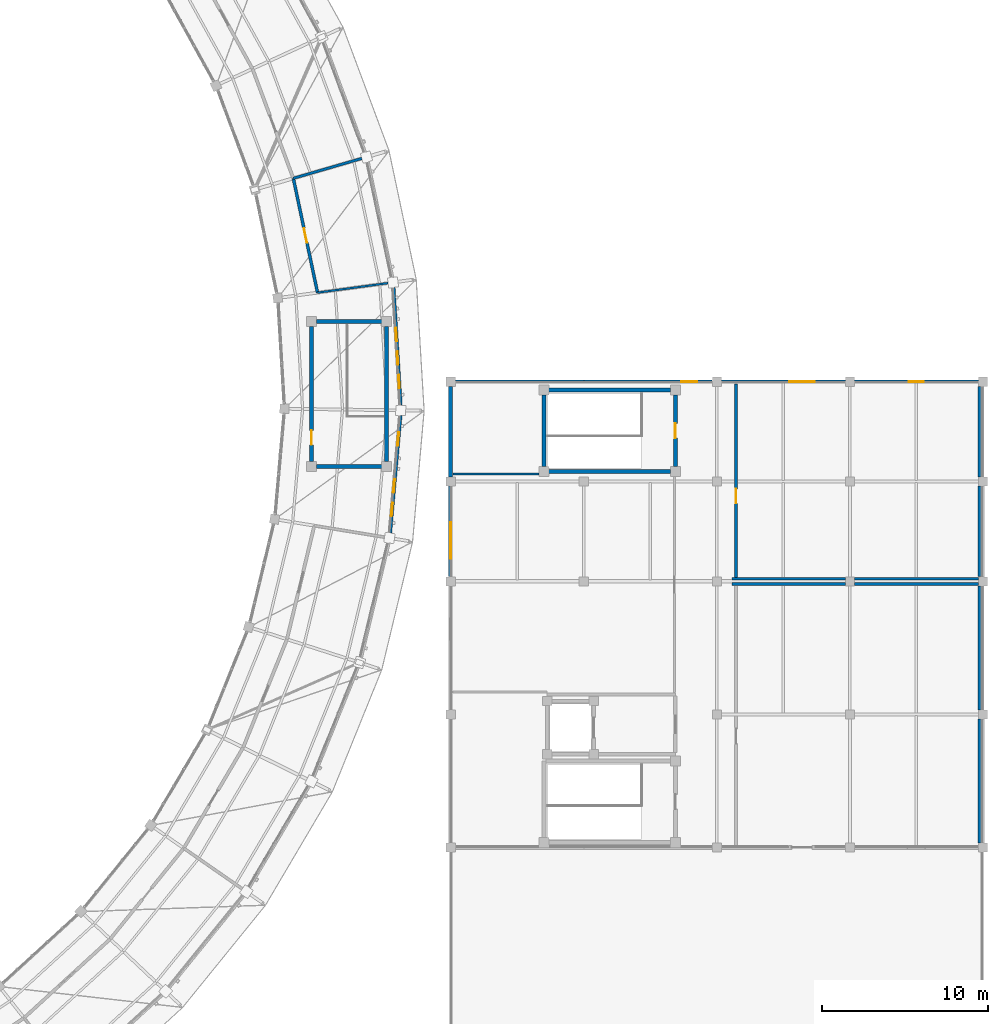
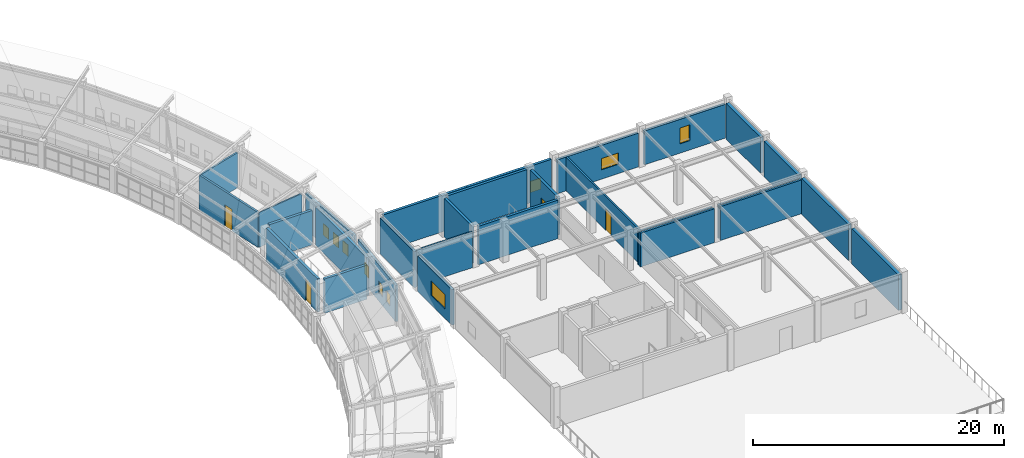
# One storey, part 133 of 149: 29 walls, 10 windows, 4 doors, 14 openings.
"""IFC4 building model written with IfcOpenShell, lengths in metres."""

from ifc_helpers import new_model, si_unit, direction, frame, frame_2d, origin, place, context, subcontext, project, spatial, rectangle, extrude, material, layer, layer_set, type_object, element, fill, save


model = new_model("IFC4")

# Units and contexts
model_context = context("Model", 3, precision=1e-05, world=origin(), true_north=direction((0.0, 1.0)))
body_context = subcontext(model_context, "Body", "Model", "MODEL_VIEW")
ifc_project = project(units=[si_unit("LENGTHUNIT", "METRE"), si_unit("AREAUNIT", "SQUARE_METRE"), si_unit("VOLUMEUNIT", "CUBIC_METRE"), si_unit("PLANEANGLEUNIT", "RADIAN"), si_unit("MASSUNIT", "GRAM", prefix="KILO")], contexts=[model_context])

# Site, building, storey
site_placement = place(None, origin())
site = spatial("IfcSite", under=ifc_project, at=site_placement, CompositionType="ELEMENT")
building_placement = place(site_placement, origin())
building = spatial("IfcBuilding", under=site, at=building_placement, Name="Celadon Cloister-Ring School", CompositionType="ELEMENT")
storey_placement = place(building_placement, frame((0.0, 0.0, 12.5)))
storey = spatial("IfcBuildingStorey", under=building, at=storey_placement, Name="L03", CompositionType="ELEMENT", Elevation=12.5)

# Wall, opening, window
ifc_material_1 = material(Name="Rendered concrete blockwork", Category="masonry")
ifc_layer_1 = layer(ifc_material_1, 0.239990234375)
ifc_layer_set_1 = layer_set([ifc_layer_1], Name="Rendered concrete blockwork")
wall_type_1 = type_object("IfcWallType", Name="WT-EX3", PredefinedType="SOLIDWALL", material=ifc_layer_set_1)
wall_1_placement = place(storey_placement, frame((142.0, 48.277099609375, 0.0), z_axis=(0.0, 0.0, 1.0), x_axis=(0.0, 1.0, 0.0)))
wall_1 = element("IfcWall", 1, at=wall_1_placement, inside=storey, type_object=wall_type_1, Name="Exterior Wall 0473", PredefinedType="SOLIDWALL", context=body_context, shape_type="SweptSolid", body=[
    extrude(rectangle(XDim=5.44580078125, YDim=0.239990234375, at=frame_2d((2.722900390625, 0.0))), origin(), (0.0, 0.0, 1.0), 3.44189453125),
])
opening_1_placement = place(wall_1_placement, frame((1.077880859375, 0.0, 0.89990234375)))
opening_1 = element("IfcOpeningElement", 2, at=opening_1_placement, cuts=wall_1, Name="Opening WN-29", PredefinedType="OPENING", context=body_context, shape_type="SweptSolid", body=[
    extrude(rectangle(XDim=2.199951171875, YDim=1.39990234375, at=frame_2d((1.10009765625, 0.699951171875))), frame((0.0, 0.1298828125, 0.0), z_axis=(0.0, -1.0, 0.0), x_axis=(1.0, 0.0, 0.0)), (0.0, 0.0, 1.0), 0.260009765625),
])
ifc_material_2 = material(Name="Tempered laminated insulating glass", Category="glass")
window_type_1 = type_object("IfcWindowType", Name="WN-29", PartitioningType="DOUBLE_PANEL_VERTICAL", PredefinedType="WINDOW", material=ifc_material_2)
window_1_placement = place(opening_1_placement, origin())
window_1 = element("IfcWindow", 3, at=window_1_placement, inside=storey, type_object=window_type_1, Name="Window 0990", OverallHeight=1.39990234375, OverallWidth=2.199951171875, PartitioningType="SINGLE_PANEL", PredefinedType="WINDOW", context=body_context, shape_type="SweptSolid", body=[
    extrude(rectangle(XDim=2.199951171875, YDim=1.39990234375, at=frame_2d((1.10009765625, 0.699951171875))), frame((0.0, 0.030029296875, 0.0), z_axis=(0.0, -1.0, 0.0), x_axis=(1.0, 0.0, 0.0)), (0.0, 0.0, 1.0), 0.06005859375),
])
fill(opening_1, window_1)

# Walls
wall_2_placement = place(storey_placement, frame((142.0, 54.277099609375, 0.0), z_axis=(0.0, 0.0, 1.0), x_axis=(0.0, 1.0, 0.0)))
element("IfcWall", 4, at=wall_2_placement, inside=storey, type_object=wall_type_1, Name="Exterior Wall 0474", PredefinedType="SOLIDWALL", context=body_context, shape_type="SweptSolid", body=[
    extrude(rectangle(XDim=5.44580078125, YDim=0.239990234375, at=frame_2d((2.722900390625, 0.0))), origin(), (0.0, 0.0, 1.0), 3.493896484375),
])
wall_3_placement = place(storey_placement, frame((142.277099609375, 60.0, 0.0), z_axis=(0.0, 0.0, 1.0), x_axis=(1.0, 0.0, 0.0)))
element("IfcWall", 5, at=wall_3_placement, inside=storey, type_object=wall_type_1, Name="Exterior Wall 0475", PredefinedType="SOLIDWALL", context=body_context, shape_type="SweptSolid", body=[
    extrude(rectangle(XDim=7.722900390625, YDim=0.239990234375, at=frame_2d((3.861328125, 0.0))), origin(), (0.0, 0.0, 1.0), 3.550048828125),
])

# Wall, opening, window
wall_4_placement = place(storey_placement, frame((150.0, 60.0, 0.0), z_axis=(0.0, 0.0, 1.0), x_axis=(1.0, 0.0, 0.0)))
wall_4 = element("IfcWall", 6, at=wall_4_placement, inside=storey, type_object=wall_type_1, Name="Exterior Wall 0476", PredefinedType="SOLIDWALL", context=body_context, shape_type="SweptSolid", body=[
    extrude(rectangle(XDim=7.722900390625, YDim=0.239990234375, at=frame_2d((3.861328125, 0.0))), origin(), (0.0, 0.0, 1.0), 3.550048828125),
])
opening_2_placement = place(wall_4_placement, frame((5.85791015625, 0.0, 0.89990234375)))
opening_2 = element("IfcOpeningElement", 7, at=opening_2_placement, cuts=wall_4, Name="Opening WN-02", PredefinedType="OPENING", context=body_context, shape_type="SweptSolid", body=[
    extrude(rectangle(XDim=0.949951171875, YDim=1.10009765625, at=frame_2d((0.47509765625, 0.550048828125))), frame((0.0, 0.1298828125, 0.0), z_axis=(0.0, -1.0, 0.0), x_axis=(1.0, 0.0, 0.0)), (0.0, 0.0, 1.0), 0.260009765625),
])
ifc_material_3 = material(Name="Tempered laminated insulating glass", Category="glass")
window_type_2 = type_object("IfcWindowType", Name="WN-02", PartitioningType="SINGLE_PANEL", PredefinedType="WINDOW", material=ifc_material_3)
window_2_placement = place(opening_2_placement, origin())
window_2 = element("IfcWindow", 8, at=window_2_placement, inside=storey, type_object=window_type_2, Name="Window 0991", OverallHeight=1.10009765625, OverallWidth=0.949951171875, PartitioningType="SINGLE_PANEL", PredefinedType="WINDOW", context=body_context, shape_type="SweptSolid", body=[
    extrude(rectangle(XDim=0.949951171875, YDim=1.10009765625, at=frame_2d((0.47509765625, 0.550048828125))), frame((0.0, 0.030029296875, 0.0), z_axis=(0.0, -1.0, 0.0), x_axis=(1.0, 0.0, 0.0)), (0.0, 0.0, 1.0), 0.06005859375),
])
fill(opening_2, window_2)

wall_5_placement = place(storey_placement, frame((158.277099609375, 60.0, 0.0), z_axis=(0.0, 0.0, 1.0), x_axis=(1.0, 0.0, 0.0)))
wall_5 = element("IfcWall", 9, at=wall_5_placement, inside=storey, type_object=wall_type_1, Name="Exterior Wall 0477", PredefinedType="SOLIDWALL", context=body_context, shape_type="SweptSolid", body=[
    extrude(rectangle(XDim=7.44580078125, YDim=0.239990234375, at=frame_2d((3.722900390625, 0.0))), origin(), (0.0, 0.0, 1.0), 3.2890625),
])
opening_3_placement = place(wall_5_placement, frame((4.06494140625, 0.0, 0.89990234375)))
opening_3 = element("IfcOpeningElement", 10, at=opening_3_placement, cuts=wall_5, Name="Opening WN-06", PredefinedType="OPENING", context=body_context, shape_type="SweptSolid", body=[
    extrude(rectangle(XDim=1.550048828125, YDim=1.10009765625, at=frame_2d((0.77490234375, 0.550048828125))), frame((0.0, 0.1298828125, 0.0), z_axis=(0.0, -1.0, 0.0), x_axis=(1.0, 0.0, 0.0)), (0.0, 0.0, 1.0), 0.260009765625),
])
ifc_material_4 = material(Name="Tempered laminated insulating glass", Category="glass")
window_type_3 = type_object("IfcWindowType", Name="WN-06", PartitioningType="DOUBLE_PANEL_VERTICAL", PredefinedType="WINDOW", material=ifc_material_4)
window_3_placement = place(opening_3_placement, origin())
window_3 = element("IfcWindow", 11, at=window_3_placement, inside=storey, type_object=window_type_3, Name="Window 0992", OverallHeight=1.10009765625, OverallWidth=1.550048828125, PartitioningType="SINGLE_PANEL", PredefinedType="WINDOW", context=body_context, shape_type="SweptSolid", body=[
    extrude(rectangle(XDim=1.550048828125, YDim=1.10009765625, at=frame_2d((0.77490234375, 0.550048828125))), frame((0.0, 0.030029296875, 0.0), z_axis=(0.0, -1.0, 0.0), x_axis=(1.0, 0.0, 0.0)), (0.0, 0.0, 1.0), 0.06005859375),
])
fill(opening_3, window_3)

wall_6_placement = place(storey_placement, frame((166.277099609375, 60.0, 0.0), z_axis=(0.0, 0.0, 1.0), x_axis=(1.0, 0.0, 0.0)))
wall_6 = element("IfcWall", 12, at=wall_6_placement, inside=storey, type_object=wall_type_1, Name="Exterior Wall 0478", PredefinedType="SOLIDWALL", context=body_context, shape_type="SweptSolid", body=[
    extrude(rectangle(XDim=7.44580078125, YDim=0.239990234375, at=frame_2d((3.722900390625, 0.0))), origin(), (0.0, 0.0, 1.0), 3.2890625),
])
opening_4_placement = place(wall_6_placement, frame((3.27294921875, 0.0, 0.89990234375)))
opening_4 = element("IfcOpeningElement", 13, at=opening_4_placement, cuts=wall_6, Name="Opening WN-31", PredefinedType="OPENING", context=body_context, shape_type="SweptSolid", body=[
    extrude(rectangle(XDim=0.89990234375, YDim=1.550048828125, at=frame_2d((0.449951171875, 0.77490234375))), frame((0.0, 0.1298828125, 0.0), z_axis=(0.0, -1.0, 0.0), x_axis=(1.0, 0.0, 0.0)), (0.0, 0.0, 1.0), 0.260009765625),
])
ifc_material_5 = material(Name="Tempered laminated insulating glass", Category="glass")
window_type_4 = type_object("IfcWindowType", Name="WN-31", PartitioningType="SINGLE_PANEL", PredefinedType="WINDOW", material=ifc_material_5)
window_4_placement = place(opening_4_placement, origin())
window_4 = element("IfcWindow", 14, at=window_4_placement, inside=storey, type_object=window_type_4, Name="Window 0993", OverallHeight=1.550048828125, OverallWidth=0.89990234375, PartitioningType="SINGLE_PANEL", PredefinedType="WINDOW", context=body_context, shape_type="SweptSolid", body=[
    extrude(rectangle(XDim=0.89990234375, YDim=1.550048828125, at=frame_2d((0.449951171875, 0.77490234375))), frame((0.0, 0.030029296875, 0.0), z_axis=(0.0, -1.0, 0.0), x_axis=(1.0, 0.0, 0.0)), (0.0, 0.0, 1.0), 0.06005859375),
])
fill(opening_4, window_4)

# Wall, openings, windows
ifc_material_6 = material(Name="Perforated terracotta clay brick masonry", Category="masonry")
ifc_layer_2 = layer(ifc_material_6, 0.219970703125)
ifc_layer_set_2 = layer_set([ifc_layer_2], Name="Perforated terracotta clay brick masonry")
wall_type_2 = type_object("IfcWallType", Name="WT-EX4", PredefinedType="SOLIDWALL", material=ifc_layer_set_2)
wall_7_placement = place(storey_placement, frame((138.968017578125, 57.970947265625, 0.0), z_axis=(0.0, 0.0, 1.0), x_axis=(-0.08798335938, -0.996121944579, 0.0)))
wall_7 = element("IfcWall", 15, at=wall_7_placement, inside=storey, type_object=wall_type_2, Name="Exterior Wall 0201", PredefinedType="SOLIDWALL", context=body_context, shape_type="SweptSolid", body=[
    extrude(rectangle(XDim=7.081298828125, YDim=0.219970703125, at=frame_2d((3.54052734375, 0.0))), origin(), (0.0, 0.0, 1.0), 3.537109375),
])
opening_5_placement = place(wall_7_placement, frame((1.01611328125, 0.0, 0.85009765625)))
opening_5 = element("IfcOpeningElement", 16, at=opening_5_placement, cuts=wall_7, Name="Opening WN-01", PredefinedType="OPENING", context=body_context, shape_type="SweptSolid", body=[
    extrude(rectangle(XDim=0.800048828125, YDim=1.10009765625, at=frame_2d((0.39990234375, 0.550048828125))), frame((0.0, 0.1201171875, 0.0), z_axis=(0.0, -1.0, 0.0), x_axis=(1.0, 0.0, 0.0)), (0.0, 0.0, 1.0), 0.239990234375),
])
opening_6_placement = place(wall_7_placement, frame((3.84912109375, 0.0, 0.85009765625)))
opening_6 = element("IfcOpeningElement", 17, at=opening_6_placement, cuts=wall_7, Name="Opening WN-01", PredefinedType="OPENING", context=body_context, shape_type="SweptSolid", body=[
    extrude(rectangle(XDim=0.800048828125, YDim=1.10009765625, at=frame_2d((0.39990234375, 0.550048828125))), frame((0.0, 0.1201171875, 0.0), z_axis=(0.0, -1.0, 0.0), x_axis=(1.0, 0.0, 0.0)), (0.0, 0.0, 1.0), 0.239990234375),
])
opening_7_placement = place(wall_7_placement, frame((5.264892578125, 0.0, 0.85009765625)))
opening_7 = element("IfcOpeningElement", 18, at=opening_7_placement, cuts=wall_7, Name="Opening WN-01", PredefinedType="OPENING", context=body_context, shape_type="SweptSolid", body=[
    extrude(rectangle(XDim=0.800048828125, YDim=1.10009765625, at=frame_2d((0.39990234375, 0.550048828125))), frame((0.0, 0.1201171875, 0.0), z_axis=(0.0, -1.0, 0.0), x_axis=(1.0, 0.0, 0.0)), (0.0, 0.0, 1.0), 0.239990234375),
])
ifc_material_7 = material(Name="Tempered laminated insulating glass", Category="glass")
window_type_5 = type_object("IfcWindowType", Name="WN-01", PartitioningType="SINGLE_PANEL", PredefinedType="WINDOW", material=ifc_material_7)
window_5_placement = place(opening_5_placement, origin())
window_5 = element("IfcWindow", 19, at=window_5_placement, inside=storey, type_object=window_type_5, Name="Window 0546", OverallHeight=1.10009765625, OverallWidth=0.800048828125, PartitioningType="SINGLE_PANEL", PredefinedType="WINDOW", context=body_context, shape_type="SweptSolid", body=[
    extrude(rectangle(XDim=0.800048828125, YDim=1.10009765625, at=frame_2d((0.39990234375, 0.550048828125))), frame((0.0, 0.030029296875, 0.0), z_axis=(0.0, -1.0, 0.0), x_axis=(1.0, 0.0, 0.0)), (0.0, 0.0, 1.0), 0.06005859375),
])
fill(opening_5, window_5)
window_6_placement = place(opening_6_placement, origin())
window_6 = element("IfcWindow", 20, at=window_6_placement, inside=storey, type_object=window_type_5, Name="Window 0547", OverallHeight=1.10009765625, OverallWidth=0.800048828125, PartitioningType="SINGLE_PANEL", PredefinedType="WINDOW", context=body_context, shape_type="SweptSolid", body=[
    extrude(rectangle(XDim=0.800048828125, YDim=1.10009765625, at=frame_2d((0.39990234375, 0.550048828125))), frame((0.0, 0.030029296875, 0.0), z_axis=(0.0, -1.0, 0.0), x_axis=(1.0, 0.0, 0.0)), (0.0, 0.0, 1.0), 0.06005859375),
])
fill(opening_6, window_6)
window_7_placement = place(opening_7_placement, origin())
window_7 = element("IfcWindow", 21, at=window_7_placement, inside=storey, type_object=window_type_5, Name="Window 0548", OverallHeight=1.10009765625, OverallWidth=0.800048828125, PartitioningType="SINGLE_PANEL", PredefinedType="WINDOW", context=body_context, shape_type="SweptSolid", body=[
    extrude(rectangle(XDim=0.800048828125, YDim=1.10009765625, at=frame_2d((0.39990234375, 0.550048828125))), frame((0.0, 0.030029296875, 0.0), z_axis=(0.0, -1.0, 0.0), x_axis=(1.0, 0.0, 0.0)), (0.0, 0.0, 1.0), 0.06005859375),
])
fill(opening_7, window_7)

wall_8_placement = place(storey_placement, frame((138.550048828125, 65.660888671875, 0.0), z_axis=(0.0, 0.0, 1.0), x_axis=(0.060150575124, -0.998189314866, 0.0)))
wall_8 = element("IfcWall", 22, at=wall_8_placement, inside=storey, type_object=wall_type_2, Name="Exterior Wall 0202", PredefinedType="SOLIDWALL", context=body_context, shape_type="SweptSolid", body=[
    extrude(rectangle(XDim=7.082763671875, YDim=0.219970703125, at=frame_2d((3.54150390625, 0.0))), origin(), (0.0, 0.0, 1.0), 3.537109375),
])
opening_8_placement = place(wall_8_placement, frame((2.43310546875, 0.0, 0.85009765625)))
opening_8 = element("IfcOpeningElement", 23, at=opening_8_placement, cuts=wall_8, Name="Opening WN-01", PredefinedType="OPENING", context=body_context, shape_type="SweptSolid", body=[
    extrude(rectangle(XDim=0.800048828125, YDim=1.10009765625, at=frame_2d((0.39990234375, 0.550048828125))), frame((0.0, 0.1201171875, 0.0), z_axis=(0.0, -1.0, 0.0), x_axis=(1.0, 0.0, 0.0)), (0.0, 0.0, 1.0), 0.239990234375),
])
opening_9_placement = place(wall_8_placement, frame((3.85009765625, 0.0, 0.85009765625)))
opening_9 = element("IfcOpeningElement", 24, at=opening_9_placement, cuts=wall_8, Name="Opening WN-01", PredefinedType="OPENING", context=body_context, shape_type="SweptSolid", body=[
    extrude(rectangle(XDim=0.800048828125, YDim=1.10009765625, at=frame_2d((0.39990234375, 0.550048828125))), frame((0.0, 0.1201171875, 0.0), z_axis=(0.0, -1.0, 0.0), x_axis=(1.0, 0.0, 0.0)), (0.0, 0.0, 1.0), 0.239990234375),
])
opening_10_placement = place(wall_8_placement, frame((5.26611328125, 0.0, 0.85009765625)))
opening_10 = element("IfcOpeningElement", 25, at=opening_10_placement, cuts=wall_8, Name="Opening WN-01", PredefinedType="OPENING", context=body_context, shape_type="SweptSolid", body=[
    extrude(rectangle(XDim=0.800048828125, YDim=1.10009765625, at=frame_2d((0.39990234375, 0.550048828125))), frame((0.0, 0.1201171875, 0.0), z_axis=(0.0, -1.0, 0.0), x_axis=(1.0, 0.0, 0.0)), (0.0, 0.0, 1.0), 0.239990234375),
])
window_8_placement = place(opening_8_placement, origin())
window_8 = element("IfcWindow", 26, at=window_8_placement, inside=storey, type_object=window_type_5, Name="Window 0549", OverallHeight=1.10009765625, OverallWidth=0.800048828125, PartitioningType="SINGLE_PANEL", PredefinedType="WINDOW", context=body_context, shape_type="SweptSolid", body=[
    extrude(rectangle(XDim=0.800048828125, YDim=1.10009765625, at=frame_2d((0.39990234375, 0.550048828125))), frame((0.0, 0.030029296875, 0.0), z_axis=(0.0, -1.0, 0.0), x_axis=(1.0, 0.0, 0.0)), (0.0, 0.0, 1.0), 0.06005859375),
])
fill(opening_8, window_8)
window_9_placement = place(opening_9_placement, origin())
window_9 = element("IfcWindow", 27, at=window_9_placement, inside=storey, type_object=window_type_5, Name="Window 0550", OverallHeight=1.10009765625, OverallWidth=0.800048828125, PartitioningType="SINGLE_PANEL", PredefinedType="WINDOW", context=body_context, shape_type="SweptSolid", body=[
    extrude(rectangle(XDim=0.800048828125, YDim=1.10009765625, at=frame_2d((0.39990234375, 0.550048828125))), frame((0.0, 0.030029296875, 0.0), z_axis=(0.0, -1.0, 0.0), x_axis=(1.0, 0.0, 0.0)), (0.0, 0.0, 1.0), 0.06005859375),
])
fill(opening_9, window_9)
window_10_placement = place(opening_10_placement, origin())
window_10 = element("IfcWindow", 28, at=window_10_placement, inside=storey, type_object=window_type_5, Name="Window 0551", OverallHeight=1.10009765625, OverallWidth=0.800048828125, PartitioningType="SINGLE_PANEL", PredefinedType="WINDOW", context=body_context, shape_type="SweptSolid", body=[
    extrude(rectangle(XDim=0.800048828125, YDim=1.10009765625, at=frame_2d((0.39990234375, 0.550048828125))), frame((0.0, 0.030029296875, 0.0), z_axis=(0.0, -1.0, 0.0), x_axis=(1.0, 0.0, 0.0)), (0.0, 0.0, 1.0), 0.06005859375),
])
fill(opening_10, window_10)

# Walls
ifc_material_8 = material(Name="Concrete C40/50", Category="concrete")
ifc_layer_3 = layer(ifc_material_8, 0.300048828125)
ifc_layer_set_3 = layer_set([ifc_layer_3], Name="Concrete C40/50")
wall_type_3 = type_object("IfcWallType", Name="WT-FW1", PredefinedType="SHEAR", material=ifc_layer_set_3)
wall_9_placement = place(storey_placement, frame((173.85009765625, 59.722900390625, 0.0), z_axis=(0.0, 0.0, 1.0), x_axis=(0.0, -1.0, 0.0)))
element("IfcWall", 29, at=wall_9_placement, inside=storey, type_object=wall_type_3, Name="Exterior Wall 0479", PredefinedType="SHEAR", context=body_context, shape_type="SweptSolid", body=[
    extrude(rectangle(XDim=5.44580078125, YDim=0.300048828125, at=frame_2d((2.722900390625, 0.0))), origin(), (0.0, 0.0, 1.0), 3.493896484375),
])
wall_10_placement = place(storey_placement, frame((173.85009765625, 53.722900390625, 0.0), z_axis=(0.0, 0.0, 1.0), x_axis=(0.0, -1.0, 0.0)))
element("IfcWall", 30, at=wall_10_placement, inside=storey, type_object=wall_type_3, Name="Exterior Wall 0480", PredefinedType="SHEAR", context=body_context, shape_type="SweptSolid", body=[
    extrude(rectangle(XDim=5.44580078125, YDim=0.300048828125, at=frame_2d((2.722900390625, 0.0))), origin(), (0.0, 0.0, 1.0), 3.44189453125),
])
wall_11_placement = place(storey_placement, frame((173.85009765625, 47.722900390625, 0.0), z_axis=(0.0, 0.0, 1.0), x_axis=(0.0, -1.0, 0.0)))
element("IfcWall", 31, at=wall_11_placement, inside=storey, type_object=wall_type_3, Name="Exterior Wall 0481", PredefinedType="SHEAR", context=body_context, shape_type="SweptSolid", body=[
    extrude(rectangle(XDim=7.44580078125, YDim=0.300048828125, at=frame_2d((3.722900390625, 0.0))), origin(), (0.0, 0.0, 1.0), 3.493896484375),
])
wall_12_placement = place(storey_placement, frame((173.85009765625, 39.722900390625, 0.0), z_axis=(0.0, 0.0, 1.0), x_axis=(0.0, -1.0, 0.0)))
element("IfcWall", 32, at=wall_12_placement, inside=storey, type_object=wall_type_3, Name="Exterior Wall 0482", PredefinedType="SHEAR", context=body_context, shape_type="SweptSolid", body=[
    extrude(rectangle(XDim=7.44580078125, YDim=0.300048828125, at=frame_2d((3.722900390625, 0.0))), origin(), (0.0, 0.0, 1.0), 3.44189453125),
])

# Wall, opening, door
ifc_material_9 = material(Name="Plastered hollow concrete masonry", Category="masonry")
ifc_layer_4 = layer(ifc_material_9, 0.179931640625)
ifc_layer_set_4 = layer_set([ifc_layer_4], Name="Plastered hollow concrete masonry")
wall_type_4 = type_object("IfcWallType", Name="WT-PT2", PredefinedType="PARTITIONING", material=ifc_layer_set_4)
wall_13_placement = place(storey_placement, frame((133.991943359375, 65.35693359375, 0.0), z_axis=(0.0, 0.0, 1.0), x_axis=(-0.207083965241, 0.978323173261, 0.0)))
wall_13 = element("IfcWall", 33, at=wall_13_placement, inside=storey, type_object=wall_type_4, Name="Interior Wall 0632", PredefinedType="PARTITIONING", context=body_context, shape_type="SweptSolid", body=[
    extrude(rectangle(XDim=7.025390625, YDim=0.179931640625, at=frame_2d((3.5126953125, 0.0))), origin(), (0.0, 0.0, 1.0), 3.39697265625),
])
opening_11_placement = place(wall_13_placement, frame((3.072998046875, 0.0, 0.0)))
opening_11 = element("IfcOpeningElement", 34, at=opening_11_placement, cuts=wall_13, Name="Opening D-0229", PredefinedType="OPENING", context=body_context, shape_type="SweptSolid", body=[
    extrude(rectangle(XDim=0.8798828125, YDim=2.10009765625, at=frame_2d((0.43994140625, 1.050048828125))), frame((0.0, 0.10009765625, 0.0), z_axis=(0.0, -1.0, 0.0), x_axis=(1.0, 0.0, 0.0)), (0.0, 0.0, 1.0), 0.199951171875),
])
ifc_material_10 = material(Name="Solid-core fire-rated hardwood leaf", Category="wood")
door_type = type_object("IfcDoorType", Name="DT-01", OperationType="NOTDEFINED", PredefinedType="DOOR", material=ifc_material_10)
door_1_placement = place(opening_11_placement, origin())
door_1 = element("IfcDoor", 35, at=door_1_placement, inside=storey, type_object=door_type, Name="Door D-0229", OperationType="SINGLE_SWING_LEFT", OverallHeight=2.10009765625, OverallWidth=0.8798828125, PredefinedType="DOOR", context=body_context, shape_type="SweptSolid", body=[
    extrude(rectangle(XDim=0.8798828125, YDim=2.10009765625, at=frame_2d((0.43994140625, 1.050048828125))), frame((0.0, 0.02490234375, 0.0), z_axis=(0.0, -1.0, 0.0), x_axis=(1.0, 0.0, 0.0)), (0.0, 0.0, 1.0), 0.050048828125),
])
fill(opening_11, door_1)

# Walls
wall_14_placement = place(storey_placement, frame((158.909912109375, 47.85009765625, 0.0), z_axis=(0.0, 0.0, 1.0), x_axis=(1.0, 0.0, 0.0)))
element("IfcWall", 36, at=wall_14_placement, inside=storey, type_object=wall_type_4, Name="Interior Wall 1067", PredefinedType="PARTITIONING", context=body_context, shape_type="SweptSolid", body=[
    extrude(rectangle(XDim=6.822998046875, YDim=0.179931640625, at=frame_2d((3.41162109375, 0.0))), origin(), (0.0, 0.0, 1.0), 3.2890625),
])
wall_15_placement = place(storey_placement, frame((166.26708984375, 47.85009765625, 0.0), z_axis=(0.0, 0.0, 1.0), x_axis=(1.0, 0.0, 0.0)))
element("IfcWall", 37, at=wall_15_placement, inside=storey, type_object=wall_type_4, Name="Interior Wall 1068", PredefinedType="PARTITIONING", context=body_context, shape_type="SweptSolid", body=[
    extrude(rectangle(XDim=7.4658203125, YDim=0.179931640625, at=frame_2d((3.73291015625, 0.0))), origin(), (0.0, 0.0, 1.0), 3.2890625),
])
ifc_material_11 = material(Name="Plastered hollow concrete masonry", Category="masonry")
ifc_layer_5 = layer(ifc_material_11, 0.159912109375)
ifc_layer_set_5 = layer_set([ifc_layer_5], Name="Plastered hollow concrete masonry")
wall_type_5 = type_object("IfcWallType", Name="WT-PT3", PredefinedType="PARTITIONING", material=ifc_layer_set_5)
wall_16_placement = place(storey_placement, frame((132.537109375, 72.22998046875, 0.0), z_axis=(0.0, 0.0, 1.0), x_axis=(0.96025274504, 0.279131986063, 0.0)))
element("IfcWall", 38, at=wall_16_placement, inside=storey, type_object=wall_type_5, Name="Interior Wall 0605", PredefinedType="PARTITIONING", context=body_context, shape_type="SweptSolid", body=[
    extrude(rectangle(XDim=4.288330078125, YDim=0.159912109375, at=frame_2d((2.14404296875, 0.0))), origin(), (0.0, 0.0, 1.0), 3.39697265625),
])
wall_17_placement = place(storey_placement, frame((173.73291015625, 48.14990234375, 0.0), z_axis=(0.0, 0.0, 1.0), x_axis=(-1.0, 0.0, 0.0)))
element("IfcWall", 39, at=wall_17_placement, inside=storey, type_object=wall_type_5, Name="Interior Wall 1070", PredefinedType="PARTITIONING", context=body_context, shape_type="SweptSolid", body=[
    extrude(rectangle(XDim=7.4658203125, YDim=0.159912109375, at=frame_2d((3.73291015625, 0.0))), origin(), (0.0, 0.0, 1.0), 3.2890625),
])
wall_18_placement = place(storey_placement, frame((165.73291015625, 48.14990234375, 0.0), z_axis=(0.0, 0.0, 1.0), x_axis=(-1.0, 0.0, 0.0)))
element("IfcWall", 40, at=wall_18_placement, inside=storey, type_object=wall_type_5, Name="Interior Wall 1071", PredefinedType="PARTITIONING", context=body_context, shape_type="SweptSolid", body=[
    extrude(rectangle(XDim=6.822998046875, YDim=0.159912109375, at=frame_2d((3.41162109375, 0.0))), origin(), (0.0, 0.0, 1.0), 3.2890625),
])

# Wall, opening, door
wall_19_placement = place(storey_placement, frame((159.14990234375, 48.23291015625, 0.0), z_axis=(0.0, 0.0, 1.0), x_axis=(0.0, 1.0, 0.0)))
wall_19 = element("IfcWall", 41, at=wall_19_placement, inside=storey, type_object=wall_type_5, Name="Interior Wall 1072", PredefinedType="PARTITIONING", context=body_context, shape_type="SweptSolid", body=[
    extrude(rectangle(XDim=11.64404296875, YDim=0.159912109375, at=frame_2d((5.822021484375, 0.0))), origin(), (0.0, 0.0, 1.0), 3.2890625),
])
opening_12_placement = place(wall_19_placement, frame((4.449951171875, 0.0, 0.0)))
opening_12 = element("IfcOpeningElement", 42, at=opening_12_placement, cuts=wall_19, Name="Opening D-0382", PredefinedType="OPENING", context=body_context, shape_type="SweptSolid", body=[
    extrude(rectangle(XDim=0.8798828125, YDim=2.10009765625, at=frame_2d((0.43994140625, 1.050048828125))), frame((0.0, 0.08984375, 0.0), z_axis=(0.0, -1.0, 0.0), x_axis=(1.0, 0.0, 0.0)), (0.0, 0.0, 1.0), 0.179931640625),
])
door_2_placement = place(opening_12_placement, origin())
door_2 = element("IfcDoor", 43, at=door_2_placement, inside=storey, type_object=door_type, Name="Door D-0382", OperationType="SINGLE_SWING_RIGHT", OverallHeight=2.10009765625, OverallWidth=0.8798828125, PredefinedType="DOOR", context=body_context, shape_type="SweptSolid", body=[
    extrude(rectangle(XDim=0.8798828125, YDim=2.10009765625, at=frame_2d((0.43994140625, 1.050048828125))), frame((0.0, 0.02490234375, 0.0), z_axis=(0.0, -1.0, 0.0), x_axis=(1.0, 0.0, 0.0)), (0.0, 0.0, 1.0), 0.050048828125),
])
fill(opening_12, door_2)

# Walls
ifc_material_12 = material(Name="Acoustic mineral-wool drywall partition")
ifc_layer_6 = layer(ifc_material_12, 0.139892578125)
ifc_layer_set_6 = layer_set([ifc_layer_6], Name="Acoustic mineral-wool drywall partition")
wall_type_6 = type_object("IfcWallType", Name="WT-PT4", PredefinedType="PARTITIONING", material=ifc_layer_set_6)
wall_20_placement = place(storey_placement, frame((142.123046875, 54.449951171875, 0.0), z_axis=(0.0, 0.0, 1.0), x_axis=(1.0, 0.0, 0.0)))
element("IfcWall", 44, at=wall_20_placement, inside=storey, type_object=wall_type_6, Name="Interior Wall 1073", PredefinedType="PARTITIONING", context=body_context, shape_type="SweptSolid", body=[
    extrude(rectangle(XDim=5.18505859375, YDim=0.139892578125, at=frame_2d((2.592529296875, 0.0))), origin(), (0.0, 0.0, 1.0), 3.493896484375),
])
ifc_material_13 = material(Name="Acoustic mineral-wool drywall partition")
ifc_layer_7 = layer(ifc_material_13, 0.1201171875)
ifc_layer_set_7 = layer_set([ifc_layer_7], Name="Acoustic mineral-wool drywall partition")
wall_type_7 = type_object("IfcWallType", Name="WT-PT5", PredefinedType="PARTITIONING", material=ifc_layer_set_7)
wall_21_placement = place(storey_placement, frame((133.991943359375, 65.35693359375, 0.0), z_axis=(0.0, 0.0, 1.0), x_axis=(0.990973022603, 0.134061435445, 0.0)))
element("IfcWall", 45, at=wall_21_placement, inside=storey, type_object=wall_type_7, Name="Interior Wall 0604", PredefinedType="PARTITIONING", context=body_context, shape_type="SweptSolid", body=[
    extrude(rectangle(XDim=4.288818359375, YDim=0.1201171875, at=frame_2d((2.14453125, 0.0))), origin(), (0.0, 0.0, 1.0), 3.39697265625),
])
ifc_material_14 = material(Name="Concrete C40/50", Category="concrete")
ifc_layer_8 = layer(ifc_material_14, 0.239990234375)
ifc_layer_set_8 = layer_set([ifc_layer_8], Name="Concrete C40/50")
wall_type_8 = type_object("IfcWallType", Name="WT-SH1", PredefinedType="SHEAR", material=ifc_layer_set_8)
wall_22_placement = place(storey_placement, frame((147.60009765625, 54.89208984375, 0.0), z_axis=(0.0, 0.0, 1.0), x_axis=(0.0, 1.0, 0.0)))
element("IfcWall", 46, at=wall_22_placement, inside=storey, type_object=wall_type_8, Name="Interior Wall 0157", PredefinedType="SHEAR", context=body_context, shape_type="SweptSolid", body=[
    extrude(rectangle(XDim=4.31591796875, YDim=0.239990234375, at=frame_2d((2.157958984375, 0.0))), origin(), (0.0, 0.0, 1.0), 3.739990234375),
])

# Wall, opening, door
wall_23_placement = place(storey_placement, frame((155.5, 59.2080078125, 0.0), z_axis=(0.0, 0.0, 1.0), x_axis=(0.0, -1.0, 0.0)))
wall_23 = element("IfcWall", 47, at=wall_23_placement, inside=storey, type_object=wall_type_8, Name="Interior Wall 0158", PredefinedType="SHEAR", context=body_context, shape_type="SweptSolid", body=[
    extrude(rectangle(XDim=4.31591796875, YDim=0.239990234375, at=frame_2d((2.157958984375, 0.0))), origin(), (0.0, 0.0, 1.0), 3.739990234375),
])
opening_13_placement = place(wall_23_placement, frame((1.718017578125, 0.0, 0.0)))
opening_13 = element("IfcOpeningElement", 48, at=opening_13_placement, cuts=wall_23, Name="Opening D-0072", PredefinedType="OPENING", context=body_context, shape_type="SweptSolid", body=[
    extrude(rectangle(XDim=0.8798828125, YDim=2.10009765625, at=frame_2d((0.43994140625, 1.050048828125))), frame((0.0, 0.1298828125, 0.0), z_axis=(0.0, -1.0, 0.0), x_axis=(1.0, 0.0, 0.0)), (0.0, 0.0, 1.0), 0.260009765625),
])
door_3_placement = place(opening_13_placement, origin())
door_3 = element("IfcDoor", 49, at=door_3_placement, inside=storey, type_object=door_type, Name="Door D-0072", OperationType="SINGLE_SWING_RIGHT", OverallHeight=2.10009765625, OverallWidth=0.8798828125, PredefinedType="DOOR", context=body_context, shape_type="SweptSolid", body=[
    extrude(rectangle(XDim=0.8798828125, YDim=2.10009765625, at=frame_2d((0.43994140625, 1.050048828125))), frame((0.0, 0.02490234375, 0.0), z_axis=(0.0, -1.0, 0.0), x_axis=(1.0, 0.0, 0.0)), (0.0, 0.0, 1.0), 0.050048828125),
])
fill(opening_13, door_3)

# Walls
for number, where, z_axis, x_axis, name in (
    (50, (155.2080078125, 54.60009765625, 0.0), (0.0, 0.0, 1.0), (-1.0, 0.0, 0.0), "Interior Wall 0159"),
    (51, (155.2080078125, 59.5, 0.0), (0.0, 0.0, 1.0), (-1.0, 0.0, 0.0), "Interior Wall 0160"),
):
    element("IfcWall", number, at=place(storey_placement, frame(where, z_axis=z_axis, x_axis=x_axis)), inside=storey, type_object=wall_type_8, Name=name, PredefinedType="SHEAR", context=body_context, shape_type="SweptSolid", body=[
        extrude(rectangle(XDim=7.31591796875, YDim=0.239990234375, at=frame_2d((3.657958984375, 0.0))), origin(), (0.0, 0.0, 1.0), 3.739990234375),
    ])

# Wall, opening, door
wall_24_placement = place(storey_placement, frame((133.6298828125, 55.19189453125, 0.0), z_axis=(0.0, 0.0, 1.0), x_axis=(0.0, 1.0, 0.0)))
wall_24 = element("IfcWall", 52, at=wall_24_placement, inside=storey, type_object=wall_type_8, Name="Interior Wall 0205", PredefinedType="SHEAR", context=body_context, shape_type="SweptSolid", body=[
    extrude(rectangle(XDim=8.135986328125, YDim=0.239990234375, at=frame_2d((4.06787109375, 0.0))), origin(), (0.0, 0.0, 1.0), 3.25390625),
])
opening_14_placement = place(wall_24_placement, frame((1.011962890625, 0.0, 0.0)))
opening_14 = element("IfcOpeningElement", 53, at=opening_14_placement, cuts=wall_24, Name="Opening D-0084", PredefinedType="OPENING", context=body_context, shape_type="SweptSolid", body=[
    extrude(rectangle(XDim=0.8798828125, YDim=2.10009765625, at=frame_2d((0.43994140625, 1.050048828125))), frame((0.0, 0.1298828125, 0.0), z_axis=(0.0, -1.0, 0.0), x_axis=(1.0, 0.0, 0.0)), (0.0, 0.0, 1.0), 0.260009765625),
])
door_4_placement = place(opening_14_placement, origin())
door_4 = element("IfcDoor", 54, at=door_4_placement, inside=storey, type_object=door_type, Name="Door D-0084", OperationType="SINGLE_SWING_RIGHT", OverallHeight=2.10009765625, OverallWidth=0.8798828125, PredefinedType="DOOR", context=body_context, shape_type="SweptSolid", body=[
    extrude(rectangle(XDim=0.8798828125, YDim=2.10009765625, at=frame_2d((0.43994140625, 1.050048828125))), frame((0.0, 0.02490234375, 0.0), z_axis=(0.0, -1.0, 0.0), x_axis=(1.0, 0.0, 0.0)), (0.0, 0.0, 1.0), 0.050048828125),
])
fill(opening_14, door_4)

# Walls
wall_25_placement = place(storey_placement, frame((138.14990234375, 63.327880859375, 0.0), z_axis=(0.0, 0.0, 1.0), x_axis=(0.0, -1.0, 0.0)))
element("IfcWall", 55, at=wall_25_placement, inside=storey, type_object=wall_type_8, Name="Interior Wall 0206", PredefinedType="SHEAR", context=body_context, shape_type="SweptSolid", body=[
    extrude(rectangle(XDim=8.135986328125, YDim=0.239990234375, at=frame_2d((4.06787109375, 0.0))), origin(), (0.0, 0.0, 1.0), 3.739990234375),
])
wall_26_placement = place(storey_placement, frame((137.85791015625, 54.89990234375, 0.0), z_axis=(0.0, 0.0, 1.0), x_axis=(-1.0, 0.0, 0.0)))
element("IfcWall", 56, at=wall_26_placement, inside=storey, type_object=wall_type_8, Name="Interior Wall 0207", PredefinedType="SHEAR", context=body_context, shape_type="SweptSolid", body=[
    extrude(rectangle(XDim=3.935791015625, YDim=0.239990234375, at=frame_2d((1.9677734375, 0.0))), origin(), (0.0, 0.0, 1.0), 3.324951171875),
])
wall_27_placement = place(storey_placement, frame((137.85791015625, 63.6201171875, 0.0), z_axis=(0.0, 0.0, 1.0), x_axis=(-1.0, 0.0, 0.0)))
element("IfcWall", 57, at=wall_27_placement, inside=storey, type_object=wall_type_8, Name="Interior Wall 0208", PredefinedType="SHEAR", context=body_context, shape_type="SweptSolid", body=[
    extrude(rectangle(XDim=3.935791015625, YDim=0.239990234375, at=frame_2d((1.9677734375, 0.0))), origin(), (0.0, 0.0, 1.0), 3.3359375),
])

save(model, "model.ifc")
